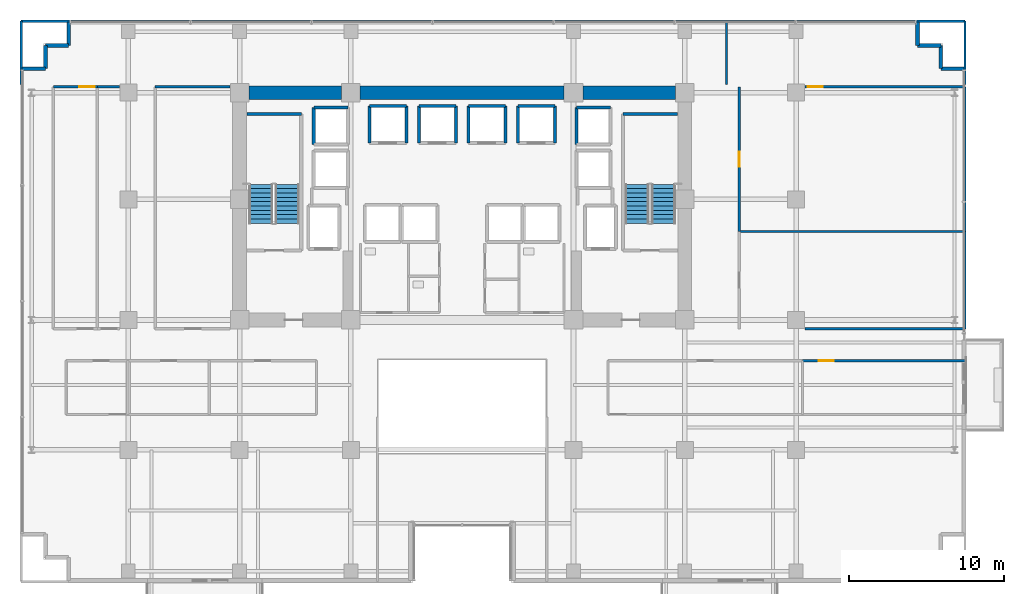
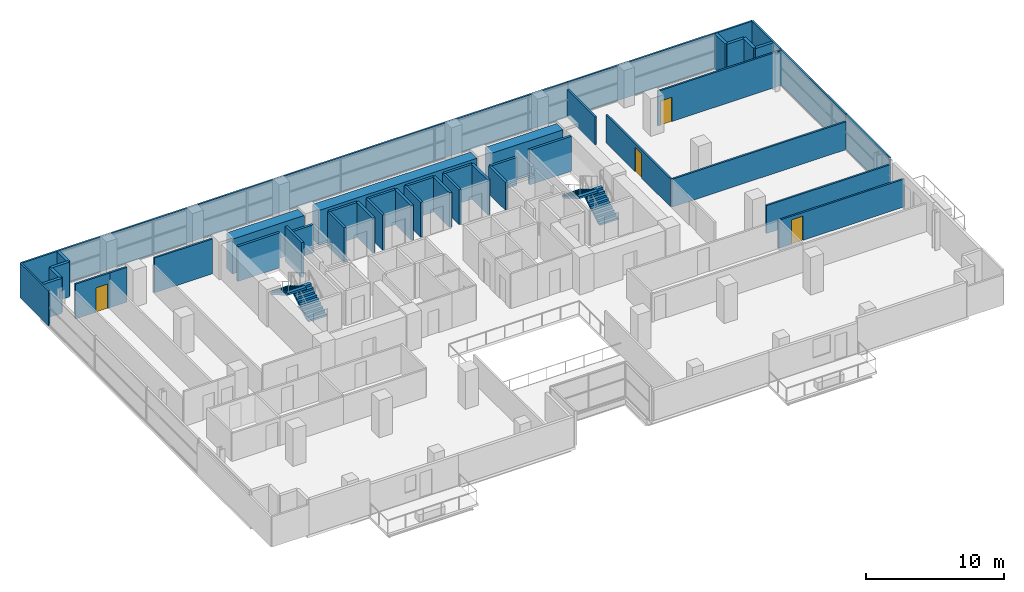
# One storey, part 22 of 26: 44 walls, 4 doors, 4 stair flights, 4 openings, 2 elements without a shape of their own.
"""IFC4 building model written with IfcOpenShell, lengths in metres."""

from ifc_helpers import new_model, si_unit, direction, frame, frame_2d, origin, place, context, subcontext, project, spatial, polyline, rectangle, outline, extrude, source, transform, mapped, material, layer, layer_set, type_object, element, fill, aggregate, save


model = new_model("IFC4")

# Units and contexts
model_context = context("Model", 3, precision=1e-05, world=origin(), true_north=direction((0.0, 1.0)))
body_context = subcontext(model_context, "Body", "Model", "MODEL_VIEW")
ifc_project = project(units=[si_unit("LENGTHUNIT", "METRE"), si_unit("AREAUNIT", "SQUARE_METRE"), si_unit("VOLUMEUNIT", "CUBIC_METRE"), si_unit("PLANEANGLEUNIT", "RADIAN"), si_unit("MASSUNIT", "GRAM", prefix="KILO")], contexts=[model_context])

# Site, building, storey
site_placement = place(None, origin())
site = spatial("IfcSite", under=ifc_project, at=site_placement, CompositionType="ELEMENT")
building_placement = place(site_placement, origin())
building = spatial("IfcBuilding", under=site, at=building_placement, Name="Zarnakvel Exchange Tower", CompositionType="ELEMENT")
storey_placement = place(building_placement, frame((0.0, 0.0, 70.300048828125)))
storey = spatial("IfcBuildingStorey", under=building, at=storey_placement, Name="L19", CompositionType="ELEMENT", Elevation=70.300048828125)

# Walls
ifc_material_1 = material(Name="Concrete C80/95", Category="concrete")
ifc_layer_1 = layer(ifc_material_1, 0.89990234375)
ifc_layer_set_1 = layer_set([ifc_layer_1], Name="Concrete C80/95")
wall_type_1 = type_object("IfcWallType", Name="CW-C1", PredefinedType="SHEAR", material=ifc_layer_set_1)
wall_1_placement = place(storey_placement, frame((-13.800048828125, 13.5, 0.0), z_axis=(0.0, 0.0, 1.0), x_axis=(1.0, 0.0, 0.0)))
element("IfcWall", 1, at=wall_1_placement, inside=storey, type_object=wall_type_1, Name="L19 Rear Core Shear Wall N1 (CW-C1)", PredefinedType="SHEAR", context=body_context, shape_type="SweptSolid", body=[
    extrude(rectangle(XDim=6.0, YDim=0.89990234375, at=frame_2d((3.0, 0.0))), origin(), (0.0, 0.0, 1.0), 3.074951171875),
])
wall_2_placement = place(storey_placement, frame((-6.60009765625, 13.5, 0.0), z_axis=(0.0, 0.0, 1.0), x_axis=(1.0, 0.0, 0.0)))
element("IfcWall", 2, at=wall_2_placement, inside=storey, type_object=wall_type_1, Name="L19 Rear Core Shear Wall N2 (CW-C1)", PredefinedType="SHEAR", context=body_context, shape_type="SweptSolid", body=[
    extrude(rectangle(XDim=13.2001953125, YDim=0.89990234375, at=frame_2d((6.60009765625, 0.0))), origin(), (0.0, 0.0, 1.0), 3.074951171875),
])
wall_3_placement = place(storey_placement, frame((7.800048828125, 13.5, 0.0), z_axis=(0.0, 0.0, 1.0), x_axis=(1.0, 0.0, 0.0)))
element("IfcWall", 3, at=wall_3_placement, inside=storey, type_object=wall_type_1, Name="L19 Rear Core Shear Wall N3 (CW-C1)", PredefinedType="SHEAR", context=body_context, shape_type="SweptSolid", body=[
    extrude(rectangle(XDim=6.0, YDim=0.89990234375, at=frame_2d((3.0, 0.0))), origin(), (0.0, 0.0, 1.0), 3.074951171875),
])
ifc_material_2 = material(Name="Precast concrete C40/50", Category="concrete")
ifc_layer_2 = layer(ifc_material_2, 0.239990234375)
ifc_layer_set_2 = layer_set([ifc_layer_2], Name="Precast concrete C40/50")
wall_type_2 = type_object("IfcWallType", Name="EW-02", PredefinedType="SOLIDWALL", material=ifc_layer_set_2)
for number, where, z_axis, x_axis, name in (
    (4, (-26.9599609375, 15.06005859375, 0.0), (0.0, 0.0, 1.0), (-1.0, 0.0, 0.0), "L19 Exterior Precast Spandrel Wall EWC-L19-01 (EW-02)"),
    (5, (-26.9599609375, 16.56005859375, 0.0), (0.0, 0.0, 1.0), (0.0, -1.0, 0.0), "L19 Exterior Precast Spandrel Wall EWC-L19-02 (EW-02)"),
    (6, (-25.4599609375, 16.56005859375, 0.0), (0.0, 0.0, 1.0), (-1.0, 0.0, 0.0), "L19 Exterior Precast Spandrel Wall EWC-L19-03 (EW-02)"),
    (7, (-25.4599609375, 18.06005859375, 0.0), (0.0, 0.0, 1.0), (0.0, -1.0, 0.0), "L19 Exterior Precast Spandrel Wall EWC-L19-04 (EW-02)"),
    (8, (29.4599609375, 16.56005859375, 0.0), (0.0, 0.0, 1.0), (0.0, 1.0, 0.0), "L19 Exterior Precast Spandrel Wall EWC-L19-05 (EW-02)"),
    (9, (30.9599609375, 16.56005859375, 0.0), (0.0, 0.0, 1.0), (-1.0, 0.0, 0.0), "L19 Exterior Precast Spandrel Wall EWC-L19-06 (EW-02)"),
    (10, (30.9599609375, 15.06005859375, 0.0), (0.0, 0.0, 1.0), (0.0, 1.0, 0.0), "L19 Exterior Precast Spandrel Wall EWC-L19-07 (EW-02)"),
    (11, (32.4599609375, 15.06005859375, 0.0), (0.0, 0.0, 1.0), (-1.0, 0.0, 0.0), "L19 Exterior Precast Spandrel Wall EWC-L19-08 (EW-02)"),
):
    element("IfcWall", number, at=place(storey_placement, frame(where, z_axis=z_axis, x_axis=x_axis)), inside=storey, type_object=wall_type_2, Name=name, PredefinedType="SOLIDWALL", context=body_context, shape_type="SweptSolid", body=[
        extrude(rectangle(XDim=1.5, YDim=0.239990234375, at=frame_2d((0.75, 0.0))), origin(), (0.0, 0.0, 1.0), 3.074951171875),
    ])

# Wall, opening, door
ifc_material_3 = material(Name="Fire-Rated Gypsum Stud Partition", Category="gypsum")
ifc_layer_3 = layer(ifc_material_3, 0.14990234375)
ifc_layer_set_3 = layer_set([ifc_layer_3], Name="Fire-Rated Gypsum Stud Partition")
wall_type_3 = type_object("IfcWallType", Name="PT-01", PredefinedType="PARTITIONING", material=ifc_layer_set_3)
wall_4_placement = place(storey_placement, frame((22.015380859375, -3.830078125, 0.0), z_axis=(0.0, 0.0, 1.0), x_axis=(1.0, 0.0, 0.0)))
wall_4 = element("IfcWall", 12, at=wall_4_placement, inside=storey, type_object=wall_type_3, Name="L19 Partition Wall PWALL-L19-044 (PT-01)", PredefinedType="PARTITIONING", context=body_context, shape_type="SweptSolid", body=[
    extrude(rectangle(XDim=10.5146484375, YDim=0.14990234375, at=frame_2d((5.25732421875, 0.0))), origin(), (0.0, 0.0, 1.0), 2.46484375),
])
opening_1_placement = place(wall_4_placement, frame((1.04248046875, 0.0, 0.0)))
opening_1 = element("IfcOpeningElement", 13, at=opening_1_placement, cuts=wall_4, Name="Opening D-L19-16", PredefinedType="OPENING", context=body_context, shape_type="SweptSolid", body=[
    extrude(rectangle(XDim=0.97998046875, YDim=2.14990234375, at=frame_2d((0.489990234375, 1.074951171875))), frame((0.0, 0.0849609375, 0.0), z_axis=(0.0, -1.0, 0.0), x_axis=(1.0, 0.0, 0.0)), (0.0, 0.0, 1.0), 0.169921875),
])
ifc_material_4 = material(Name="Timber Acoustic Veneer", Category="wood")
door_type = type_object("IfcDoorType", Name="DT-05", OperationType="NOTDEFINED", PredefinedType="DOOR", material=ifc_material_4)
shared_shape = source(origin(), body_context, "Body", "SweptSolid", [
    extrude(rectangle(XDim=0.97998046875, YDim=2.14990234375, at=frame_2d((0.489990234375, 1.074951171875))), frame((0.0, 0.02490234375, 0.0), z_axis=(0.0, -1.0, 0.0), x_axis=(1.0, 0.0, 0.0)), (0.0, 0.0, 1.0), 0.050048828125),
])
door_1_placement = place(opening_1_placement, origin())
door_1 = element("IfcDoor", 14, at=door_1_placement, inside=storey, type_object=door_type, Name="L19 Executive Office Door D-L19-16", OperationType="SINGLE_SWING_RIGHT", OverallHeight=2.14990234375, OverallWidth=0.97998046875, PredefinedType="DOOR", context=body_context, shape_type="MappedRepresentation", body=[
    mapped(shared_shape, transform((0.0, 0.0, 0.0), x_axis=(1.0, 0.0, 0.0), y_axis=(0.0, 1.0, 0.0), z_axis=(0.0, 0.0, 1.0), scale=1.0)),
])
fill(opening_1, door_1)

wall_5_placement = place(storey_placement, frame((-26.451171875, 13.8798828125, 0.0), z_axis=(0.0, 0.0, 1.0), x_axis=(1.0, 0.0, 0.0)))
wall_5 = element("IfcWall", 15, at=wall_5_placement, inside=storey, type_object=wall_type_3, Name="L19 Partition Wall PWALL-L19-050 (PT-01)", PredefinedType="PARTITIONING", context=body_context, shape_type="SweptSolid", body=[
    extrude(rectangle(XDim=2.84619140625, YDim=0.14990234375, at=frame_2d((1.423095703125, 0.0))), origin(), (0.0, 0.0, 1.0), 3.074951171875),
])
opening_2_placement = place(wall_5_placement, frame((1.686279296875, 0.0, 0.0)))
opening_2 = element("IfcOpeningElement", 16, at=opening_2_placement, cuts=wall_5, Name="Opening D-L19-23", PredefinedType="OPENING", context=body_context, shape_type="SweptSolid", body=[
    extrude(rectangle(XDim=0.97998046875, YDim=2.14990234375, at=frame_2d((0.489990234375, 1.074951171875))), frame((0.0, 0.0849609375, 0.0), z_axis=(0.0, -1.0, 0.0), x_axis=(1.0, 0.0, 0.0)), (0.0, 0.0, 1.0), 0.169921875),
])
door_2_placement = place(opening_2_placement, origin())
door_2 = element("IfcDoor", 17, at=door_2_placement, inside=storey, type_object=door_type, Name="L19 Risk Analytics Suite Door D-L19-23", OperationType="SINGLE_SWING_LEFT", OverallHeight=2.14990234375, OverallWidth=0.97998046875, PredefinedType="DOOR", context=body_context, shape_type="MappedRepresentation", body=[
    mapped(shared_shape, transform((0.0, 0.0, 0.0), x_axis=(1.0, 0.0, 0.0), y_axis=(0.0, 1.0, 0.0), z_axis=(0.0, 0.0, 1.0), scale=1.0)),
])
fill(opening_2, door_2)

# Walls
wall_6_placement = place(storey_placement, frame((-23.60498046875, 13.8798828125, 0.0), z_axis=(0.0, 0.0, 1.0), x_axis=(1.0, 0.0, 0.0)))
element("IfcWall", 18, at=wall_6_placement, inside=storey, type_object=wall_type_3, Name="L19 Partition Wall PWALL-L19-054 (PT-01)", PredefinedType="PARTITIONING", context=body_context, shape_type="SweptSolid", body=[
    extrude(rectangle(XDim=1.43505859375, YDim=0.14990234375, at=frame_2d((0.717529296875, 0.0))), origin(), (0.0, 0.0, 1.0), 3.074951171875),
])
wall_7_placement = place(storey_placement, frame((-19.863037109375, 13.8798828125, 0.0), z_axis=(0.0, 0.0, 1.0), x_axis=(1.0, 0.0, 0.0)))
element("IfcWall", 19, at=wall_7_placement, inside=storey, type_object=wall_type_3, Name="L19 Partition Wall PWALL-L19-057 (PT-01)", PredefinedType="PARTITIONING", context=body_context, shape_type="SweptSolid", body=[
    extrude(rectangle(XDim=4.843017578125, YDim=0.14990234375, at=frame_2d((2.42138671875, 0.0))), origin(), (0.0, 0.0, 1.0), 3.074951171875),
])
wall_8_placement = place(storey_placement, frame((32.530029296875, -1.77001953125, 0.0), z_axis=(0.0, 0.0, 1.0), x_axis=(-1.0, 0.0, 0.0)))
element("IfcWall", 20, at=wall_8_placement, inside=storey, type_object=wall_type_3, Name="L19 Partition Wall PWALL-L19-058 (PT-01)", PredefinedType="PARTITIONING", context=body_context, shape_type="SweptSolid", body=[
    extrude(rectangle(XDim=10.360107421875, YDim=0.14990234375, at=frame_2d((5.18017578125, 0.0))), origin(), (0.0, 0.0, 1.0), 2.46484375),
])
wall_9_placement = place(storey_placement, frame((17.929931640625, 4.52197265625, 0.0), z_axis=(0.0, 0.0, 1.0), x_axis=(1.0, 0.0, 0.0)))
element("IfcWall", 21, at=wall_9_placement, inside=storey, type_object=wall_type_3, Name="L19 Partition Wall PWALL-L19-059 (PT-01)", PredefinedType="PARTITIONING", context=body_context, shape_type="SweptSolid", body=[
    extrude(rectangle(XDim=14.60009765625, YDim=0.14990234375, at=frame_2d((7.300048828125, 0.0))), origin(), (0.0, 0.0, 1.0), 2.46484375),
])
wall_10_placement = place(storey_placement, frame((32.530029296875, 4.52197265625, 0.0), z_axis=(0.0, 0.0, 1.0), x_axis=(0.0, -1.0, 0.0)))
element("IfcWall", 22, at=wall_10_placement, inside=storey, type_object=wall_type_3, Name="L19 Partition Wall PWALL-L19-061 (PT-01)", PredefinedType="PARTITIONING", context=body_context, shape_type="SweptSolid", body=[
    extrude(rectangle(XDim=6.2919921875, YDim=0.14990234375, at=frame_2d((3.14599609375, 0.0))), origin(), (0.0, 0.0, 1.0), 3.074951171875),
])

# Wall, opening, door
wall_11_placement = place(storey_placement, frame((22.169921875, 13.8798828125, 0.0), z_axis=(0.0, 0.0, 1.0), x_axis=(1.0, 0.0, 0.0)))
wall_11 = element("IfcWall", 23, at=wall_11_placement, inside=storey, type_object=wall_type_3, Name="L19 Partition Wall PWALL-L19-062 (PT-01)", PredefinedType="PARTITIONING", context=body_context, shape_type="SweptSolid", body=[
    extrude(rectangle(XDim=10.360107421875, YDim=0.14990234375, at=frame_2d((5.18017578125, 0.0))), origin(), (0.0, 0.0, 1.0), 3.074951171875),
])
opening_3_placement = place(wall_11_placement, frame((0.179931640625, 0.0, 0.0)))
opening_3 = element("IfcOpeningElement", 24, at=opening_3_placement, cuts=wall_11, Name="Opening D-L19-24", PredefinedType="OPENING", context=body_context, shape_type="SweptSolid", body=[
    extrude(rectangle(XDim=0.97998046875, YDim=2.14990234375, at=frame_2d((0.489990234375, 1.074951171875))), frame((0.0, 0.0849609375, 0.0), z_axis=(0.0, -1.0, 0.0), x_axis=(1.0, 0.0, 0.0)), (0.0, 0.0, 1.0), 0.169921875),
])
door_3_placement = place(opening_3_placement, origin())
door_3 = element("IfcDoor", 25, at=door_3_placement, inside=storey, type_object=door_type, Name="L19 Members Lounge Door D-L19-24", OperationType="SINGLE_SWING_RIGHT", OverallHeight=2.14990234375, OverallWidth=0.97998046875, PredefinedType="DOOR", context=body_context, shape_type="MappedRepresentation", body=[
    mapped(shared_shape, transform((0.0, 0.0, 0.0), x_axis=(1.0, 0.0, 0.0), y_axis=(0.0, 1.0, 0.0), z_axis=(0.0, 0.0, 1.0), scale=1.0)),
])
fill(opening_3, door_3)

wall_12_placement = place(storey_placement, frame((17.929931640625, 4.52197265625, 0.0), z_axis=(0.0, 0.0, 1.0), x_axis=(0.0, 1.0, 0.0)))
wall_12 = element("IfcWall", 26, at=wall_12_placement, inside=storey, type_object=wall_type_3, Name="L19 Partition Wall PWALL-L19-063 (PT-01)", PredefinedType="PARTITIONING", context=body_context, shape_type="SweptSolid", body=[
    extrude(rectangle(XDim=9.35791015625, YDim=0.14990234375, at=frame_2d((4.678955078125, 0.0))), origin(), (0.0, 0.0, 1.0), 2.46484375),
])
opening_4_placement = place(wall_12_placement, frame((4.18896484375, 0.0, 0.0)))
opening_4 = element("IfcOpeningElement", 27, at=opening_4_placement, cuts=wall_12, Name="Opening D-L19-22", PredefinedType="OPENING", context=body_context, shape_type="SweptSolid", body=[
    extrude(rectangle(XDim=0.97998046875, YDim=2.14990234375, at=frame_2d((0.489990234375, 1.074951171875))), frame((0.0, 0.0849609375, 0.0), z_axis=(0.0, -1.0, 0.0), x_axis=(1.0, 0.0, 0.0)), (0.0, 0.0, 1.0), 0.169921875),
])
door_4_placement = place(opening_4_placement, origin())
door_4 = element("IfcDoor", 28, at=door_4_placement, inside=storey, type_object=door_type, Name="L19 Risk Analytics Suite Door D-L19-22", OperationType="SINGLE_SWING_RIGHT", OverallHeight=2.14990234375, OverallWidth=0.97998046875, PredefinedType="DOOR", context=body_context, shape_type="MappedRepresentation", body=[
    mapped(shared_shape, transform((0.0, 0.0, 0.0), x_axis=(1.0, 0.0, 0.0), y_axis=(0.0, 1.0, 0.0), z_axis=(0.0, 0.0, 1.0), scale=1.0)),
])
fill(opening_4, door_4)

# Walls
wall_13_placement = place(storey_placement, frame((32.530029296875, 13.8798828125, 0.0), z_axis=(0.0, 0.0, 1.0), x_axis=(0.0, -1.0, 0.0)))
element("IfcWall", 29, at=wall_13_placement, inside=storey, type_object=wall_type_3, Name="L19 Partition Wall PWALL-L19-064 (PT-01)", PredefinedType="PARTITIONING", context=body_context, shape_type="SweptSolid", body=[
    extrude(rectangle(XDim=9.35791015625, YDim=0.14990234375, at=frame_2d((4.678955078125, 0.0))), origin(), (0.0, 0.0, 1.0), 3.074951171875),
])
wall_14_placement = place(storey_placement, frame((-28.530029296875, 18.1298828125, 0.0), z_axis=(0.0, 0.0, 1.0), x_axis=(1.0, 0.0, 0.0)))
element("IfcWall", 30, at=wall_14_placement, inside=storey, type_object=wall_type_3, Name="L19 Partition Wall PWALL-L19-065 (PT-01)", PredefinedType="PARTITIONING", context=body_context, shape_type="SweptSolid", body=[
    extrude(rectangle(XDim=45.630126953125, YDim=0.14990234375, at=frame_2d((22.81494140625, 0.0))), origin(), (0.0, 0.0, 1.0), 3.074951171875),
])
wall_15_placement = place(storey_placement, frame((-28.530029296875, 14.030029296875, 0.0), z_axis=(0.0, 0.0, 1.0), x_axis=(0.0, 1.0, 0.0)))
element("IfcWall", 31, at=wall_15_placement, inside=storey, type_object=wall_type_3, Name="L19 Partition Wall PWALL-L19-066 (PT-01)", PredefinedType="PARTITIONING", context=body_context, shape_type="SweptSolid", body=[
    extrude(rectangle(XDim=4.099853515625, YDim=0.14990234375, at=frame_2d((2.0498046875, 0.0))), origin(), (0.0, 0.0, 1.0), 3.074951171875),
])
wall_16_placement = place(storey_placement, frame((17.10009765625, 18.1298828125, 0.0), z_axis=(0.0, 0.0, 1.0), x_axis=(0.0, -1.0, 0.0)))
element("IfcWall", 32, at=wall_16_placement, inside=storey, type_object=wall_type_3, Name="L19 Partition Wall PWALL-L19-067 (PT-01)", PredefinedType="PARTITIONING", context=body_context, shape_type="SweptSolid", body=[
    extrude(rectangle(XDim=4.099853515625, YDim=0.14990234375, at=frame_2d((2.0498046875, 0.0))), origin(), (0.0, 0.0, 1.0), 2.46484375),
])
wall_17_placement = place(storey_placement, frame((17.10009765625, 18.1298828125, 0.0), z_axis=(0.0, 0.0, 1.0), x_axis=(1.0, 0.0, 0.0)))
element("IfcWall", 33, at=wall_17_placement, inside=storey, type_object=wall_type_3, Name="L19 Partition Wall PWALL-L19-068 (PT-01)", PredefinedType="PARTITIONING", context=body_context, shape_type="SweptSolid", body=[
    extrude(rectangle(XDim=15.429931640625, YDim=0.14990234375, at=frame_2d((7.71484375, 0.0))), origin(), (0.0, 0.0, 1.0), 3.074951171875),
])
wall_18_placement = place(storey_placement, frame((32.530029296875, 18.1298828125, 0.0), z_axis=(0.0, 0.0, 1.0), x_axis=(0.0, -1.0, 0.0)))
element("IfcWall", 34, at=wall_18_placement, inside=storey, type_object=wall_type_3, Name="L19 Partition Wall PWALL-L19-069 (PT-01)", PredefinedType="PARTITIONING", context=body_context, shape_type="SweptSolid", body=[
    extrude(rectangle(XDim=4.099853515625, YDim=0.14990234375, at=frame_2d((2.0498046875, 0.0))), origin(), (0.0, 0.0, 1.0), 3.074951171875),
])
ifc_material_5 = material(Name="Concrete C40/50", Category="concrete")
ifc_layer_4 = layer(ifc_material_5, 0.199951171875)
ifc_layer_set_4 = layer_set([ifc_layer_4], Name="Concrete C40/50")
wall_type_4 = type_object("IfcWallType", Name="SW-01", PredefinedType="SOLIDWALL", material=ifc_layer_set_4)
for number, where, z_axis, x_axis, name in (
    (35, (-6.0, 12.64990234375, 0.0), (0.0, 0.0, 1.0), (1.0, 0.0, 0.0), "L19 PL-01 Hoistway Wall North"),
    (36, (-6.0, 10.25, 0.0), (0.0, 0.0, 1.0), (0.0, 1.0, 0.0), "L19 PL-01 Hoistway Wall West"),
    (37, (-3.60009765625, 12.64990234375, 0.0), (0.0, 0.0, 1.0), (0.0, -1.0, 0.0), "L19 PL-01 Hoistway Wall East"),
):
    element("IfcWall", number, at=place(storey_placement, frame(where, z_axis=z_axis, x_axis=x_axis)), inside=storey, type_object=wall_type_4, Name=name, PredefinedType="SOLIDWALL", context=body_context, shape_type="SweptSolid", body=[
        extrude(rectangle(XDim=2.39990234375, YDim=0.199951171875, at=frame_2d((1.199951171875, 0.0))), origin(), (0.0, 0.0, 1.0), 3.074951171875),
    ])
wall_19_placement = place(storey_placement, frame((-2.800048828125, 12.64990234375, 0.0), z_axis=(0.0, 0.0, 1.0), x_axis=(1.0, 0.0, 0.0)))
element("IfcWall", 38, at=wall_19_placement, inside=storey, type_object=wall_type_4, Name="L19 PL-02 Hoistway Wall North", PredefinedType="SOLIDWALL", context=body_context, shape_type="SweptSolid", body=[
    extrude(rectangle(XDim=2.400146484375, YDim=0.199951171875, at=frame_2d((1.2001953125, 0.0))), origin(), (0.0, 0.0, 1.0), 3.074951171875),
])
for number, where, z_axis, x_axis, name in (
    (39, (-2.800048828125, 10.25, 0.0), (0.0, 0.0, 1.0), (0.0, 1.0, 0.0), "L19 PL-02 Hoistway Wall West"),
    (40, (-0.39990234375, 12.64990234375, 0.0), (0.0, 0.0, 1.0), (0.0, -1.0, 0.0), "L19 PL-02 Hoistway Wall East"),
):
    element("IfcWall", number, at=place(storey_placement, frame(where, z_axis=z_axis, x_axis=x_axis)), inside=storey, type_object=wall_type_4, Name=name, PredefinedType="SOLIDWALL", context=body_context, shape_type="SweptSolid", body=[
        extrude(rectangle(XDim=2.39990234375, YDim=0.199951171875, at=frame_2d((1.199951171875, 0.0))), origin(), (0.0, 0.0, 1.0), 3.074951171875),
    ])
wall_20_placement = place(storey_placement, frame((0.39990234375, 12.64990234375, 0.0), z_axis=(0.0, 0.0, 1.0), x_axis=(1.0, 0.0, 0.0)))
element("IfcWall", 41, at=wall_20_placement, inside=storey, type_object=wall_type_4, Name="L19 PL-03 Hoistway Wall North", PredefinedType="SOLIDWALL", context=body_context, shape_type="SweptSolid", body=[
    extrude(rectangle(XDim=2.400146484375, YDim=0.199951171875, at=frame_2d((1.2001953125, 0.0))), origin(), (0.0, 0.0, 1.0), 3.074951171875),
])
for number, where, z_axis, x_axis, name in (
    (42, (0.39990234375, 10.25, 0.0), (0.0, 0.0, 1.0), (0.0, 1.0, 0.0), "L19 PL-03 Hoistway Wall West"),
    (43, (2.800048828125, 12.64990234375, 0.0), (0.0, 0.0, 1.0), (0.0, -1.0, 0.0), "L19 PL-03 Hoistway Wall East"),
    (44, (3.60009765625, 12.64990234375, 0.0), (0.0, 0.0, 1.0), (1.0, 0.0, 0.0), "L19 PL-04 Hoistway Wall North"),
    (45, (3.60009765625, 10.25, 0.0), (0.0, 0.0, 1.0), (0.0, 1.0, 0.0), "L19 PL-04 Hoistway Wall West"),
    (46, (6.0, 12.64990234375, 0.0), (0.0, 0.0, 1.0), (0.0, -1.0, 0.0), "L19 PL-04 Hoistway Wall East"),
):
    element("IfcWall", number, at=place(storey_placement, frame(where, z_axis=z_axis, x_axis=x_axis)), inside=storey, type_object=wall_type_4, Name=name, PredefinedType="SOLIDWALL", context=body_context, shape_type="SweptSolid", body=[
        extrude(rectangle(XDim=2.39990234375, YDim=0.199951171875, at=frame_2d((1.199951171875, 0.0))), origin(), (0.0, 0.0, 1.0), 3.074951171875),
    ])
wall_21_placement = place(storey_placement, frame((-9.60009765625, 12.550048828125, 0.0), z_axis=(0.0, 0.0, 1.0), x_axis=(1.0, 0.0, 0.0)))
element("IfcWall", 47, at=wall_21_placement, inside=storey, type_object=wall_type_4, Name="L19 PL-10 Hoistway Wall North", PredefinedType="SOLIDWALL", context=body_context, shape_type="SweptSolid", body=[
    extrude(rectangle(XDim=2.2001953125, YDim=0.199951171875, at=frame_2d((1.10009765625, 0.0))), origin(), (0.0, 0.0, 1.0), 2.46484375),
])
wall_22_placement = place(storey_placement, frame((-9.60009765625, 10.14990234375, 0.0), z_axis=(0.0, 0.0, 1.0), x_axis=(0.0, 1.0, 0.0)))
element("IfcWall", 48, at=wall_22_placement, inside=storey, type_object=wall_type_4, Name="L19 PL-10 Hoistway Wall West", PredefinedType="SOLIDWALL", context=body_context, shape_type="SweptSolid", body=[
    extrude(rectangle(XDim=2.400146484375, YDim=0.199951171875, at=frame_2d((1.2001953125, 0.0))), origin(), (0.0, 0.0, 1.0), 3.074951171875),
])
wall_23_placement = place(storey_placement, frame((7.39990234375, 12.550048828125, 0.0), z_axis=(0.0, 0.0, 1.0), x_axis=(1.0, 0.0, 0.0)))
element("IfcWall", 49, at=wall_23_placement, inside=storey, type_object=wall_type_4, Name="L19 PL-12 Hoistway Wall North", PredefinedType="SOLIDWALL", context=body_context, shape_type="SweptSolid", body=[
    extrude(rectangle(XDim=2.2001953125, YDim=0.199951171875, at=frame_2d((1.10009765625, 0.0))), origin(), (0.0, 0.0, 1.0), 2.46484375),
])
wall_24_placement = place(storey_placement, frame((7.39990234375, 10.14990234375, 0.0), z_axis=(0.0, 0.0, 1.0), x_axis=(0.0, 1.0, 0.0)))
element("IfcWall", 50, at=wall_24_placement, inside=storey, type_object=wall_type_4, Name="L19 PL-12 Hoistway Wall West", PredefinedType="SOLIDWALL", context=body_context, shape_type="SweptSolid", body=[
    extrude(rectangle(XDim=2.400146484375, YDim=0.199951171875, at=frame_2d((1.2001953125, 0.0))), origin(), (0.0, 0.0, 1.0), 2.46484375),
])
ifc_layer_5 = layer(ifc_material_5, 0.199951171875)
ifc_layer_set_5 = layer_set([ifc_layer_5], Name="Concrete C40/50")
wall_type_5 = type_object("IfcWallType", Name="SW-02", PredefinedType="SOLIDWALL", material=ifc_layer_set_5)
for number, where, z_axis, x_axis, name in (
    (51, (-13.929931640625, 12.1298828125, 0.0), (0.0, 0.0, 1.0), (1.0, 0.0, 0.0), "L19 Stairwell Core Wall PWALL-L19-002 (SW-02)"),
    (52, (10.409912109375, 12.1298828125, 0.0), (0.0, 0.0, 1.0), (1.0, 0.0, 0.0), "L19 Stairwell Core Wall PWALL-L19-005 (SW-02)"),
):
    element("IfcWall", number, at=place(storey_placement, frame(where, z_axis=z_axis, x_axis=x_axis)), inside=storey, type_object=wall_type_5, Name=name, PredefinedType="SOLIDWALL", context=body_context, shape_type="SweptSolid", body=[
        extrude(rectangle(XDim=3.52001953125, YDim=0.199951171875, at=frame_2d((1.760009765625, 0.0))), origin(), (0.0, 0.0, 1.0), 3.074951171875),
    ])

# Stair, stair flights
stair_type = type_object("IfcStairType", Name="STR-01", PredefinedType="HALF_TURN_STAIR", material=ifc_material_5)
stair_1_placement = place(storey_placement, origin())
stair_1 = element("IfcStair", 53, at=stair_1_placement, inside=storey, type_object=stair_type, Name="L19 Protected Core Exit Stair ST-01", PredefinedType="HALF_TURN_STAIR")
stair_flight_type = type_object("IfcStairFlightType", Name="FLT-01", PredefinedType="STRAIGHT", material=ifc_material_5)
stair_flight_1_placement = place(storey_placement, frame((-11.31494140625, 5.050048828125, 0.0), z_axis=(0.0, 0.0, 1.0), x_axis=(0.0, 1.0, 0.0)))
stair_flight_1 = element("IfcStairFlight", 54, at=stair_flight_1_placement, type_object=stair_flight_type, Name="ST-01 flight 1", NumberOfRisers=10, NumberOfTreads=9, PredefinedType="STRAIGHT", RiserHeight=0.165, TreadLength=0.28, context=body_context, shape_type="SweptSolid", body=[
    extrude(outline(polyline([(0.0, 0.0), (0.0, 0.1650390625), (0.280029296875, 0.1650390625), (0.280029296875, 0.330078125), (0.56005859375, 0.330078125), (0.56005859375, 0.4951171875), (0.840087890625, 0.4951171875), (0.840087890625, 0.659912109375), (1.1201171875, 0.659912109375), (1.1201171875, 0.824951171875), (1.39990234375, 0.824951171875), (1.39990234375, 0.989990234375), (1.679931640625, 0.989990234375), (1.679931640625, 1.155029296875), (1.9599609375, 1.155029296875), (1.9599609375, 1.320068359375), (2.239990234375, 1.320068359375), (2.239990234375, 1.485107421875), (2.52001953125, 1.485107421875), (2.52001953125, 1.64990234375), (2.52001953125, 1.31103515625), (0.295166015625, 0.0), (0.0, 0.0)])), frame((0.0, 0.77490234375, 0.0), z_axis=(0.0, -1.0, 0.0), x_axis=(1.0, 0.0, 0.0)), (0.0, 0.0, 1.0), 1.550048828125),
])
stair_flight_2_placement = place(storey_placement, frame((-13.02490234375, 7.570068359375, 1.64990234375), z_axis=(0.0, 0.0, 1.0), x_axis=(0.0, -1.0, 0.0)))
stair_flight_2 = element("IfcStairFlight", 55, at=stair_flight_2_placement, type_object=stair_flight_type, Name="ST-01 flight 2", NumberOfRisers=10, NumberOfTreads=9, PredefinedType="STRAIGHT", RiserHeight=0.165, TreadLength=0.28, context=body_context, shape_type="SweptSolid", body=[
    extrude(outline(polyline([(0.0, 0.0), (0.0, 0.1650390625), (0.280029296875, 0.1650390625), (0.280029296875, 0.330078125), (0.56005859375, 0.330078125), (0.56005859375, 0.4951171875), (0.840087890625, 0.4951171875), (0.840087890625, 0.659912109375), (1.1201171875, 0.659912109375), (1.1201171875, 0.824951171875), (1.39990234375, 0.824951171875), (1.39990234375, 0.989990234375), (1.679931640625, 0.989990234375), (1.679931640625, 1.155029296875), (1.9599609375, 1.155029296875), (1.9599609375, 1.320068359375), (2.239990234375, 1.320068359375), (2.239990234375, 1.485107421875), (2.52001953125, 1.485107421875), (2.52001953125, 1.64990234375), (2.52001953125, 1.31103515625), (0.295166015625, 0.0), (0.0, 0.0)])), frame((0.0, 0.77490234375, 0.0), z_axis=(0.0, -1.0, 0.0), x_axis=(1.0, 0.0, 0.0)), (0.0, 0.0, 1.0), 1.550048828125),
])
aggregate(stair_1, [stair_flight_1, stair_flight_2])

stair_2_placement = place(storey_placement, origin())
stair_2 = element("IfcStair", 56, at=stair_2_placement, inside=storey, type_object=stair_type, Name="L19 Protected Core Exit Stair ST-02", PredefinedType="HALF_TURN_STAIR")
stair_flight_3_placement = place(storey_placement, frame((13.02490234375, 5.050048828125, 0.0), z_axis=(0.0, 0.0, 1.0), x_axis=(0.0, 1.0, 0.0)))
stair_flight_3 = element("IfcStairFlight", 57, at=stair_flight_3_placement, type_object=stair_flight_type, Name="ST-02 flight 1", NumberOfRisers=10, NumberOfTreads=9, PredefinedType="STRAIGHT", RiserHeight=0.165, TreadLength=0.28, context=body_context, shape_type="SweptSolid", body=[
    extrude(outline(polyline([(0.0, 0.0), (0.0, 0.1650390625), (0.280029296875, 0.1650390625), (0.280029296875, 0.330078125), (0.56005859375, 0.330078125), (0.56005859375, 0.4951171875), (0.840087890625, 0.4951171875), (0.840087890625, 0.659912109375), (1.1201171875, 0.659912109375), (1.1201171875, 0.824951171875), (1.39990234375, 0.824951171875), (1.39990234375, 0.989990234375), (1.679931640625, 0.989990234375), (1.679931640625, 1.155029296875), (1.9599609375, 1.155029296875), (1.9599609375, 1.320068359375), (2.239990234375, 1.320068359375), (2.239990234375, 1.485107421875), (2.52001953125, 1.485107421875), (2.52001953125, 1.64990234375), (2.52001953125, 1.31103515625), (0.295166015625, 0.0), (0.0, 0.0)])), frame((0.0, 0.77490234375, 0.0), z_axis=(0.0, -1.0, 0.0), x_axis=(1.0, 0.0, 0.0)), (0.0, 0.0, 1.0), 1.550048828125),
])
stair_flight_4_placement = place(storey_placement, frame((11.31494140625, 7.570068359375, 1.64990234375), z_axis=(0.0, 0.0, 1.0), x_axis=(0.0, -1.0, 0.0)))
stair_flight_4 = element("IfcStairFlight", 58, at=stair_flight_4_placement, type_object=stair_flight_type, Name="ST-02 flight 2", NumberOfRisers=10, NumberOfTreads=9, PredefinedType="STRAIGHT", RiserHeight=0.165, TreadLength=0.28, context=body_context, shape_type="SweptSolid", body=[
    extrude(outline(polyline([(0.0, 0.0), (0.0, 0.1650390625), (0.280029296875, 0.1650390625), (0.280029296875, 0.330078125), (0.56005859375, 0.330078125), (0.56005859375, 0.4951171875), (0.840087890625, 0.4951171875), (0.840087890625, 0.659912109375), (1.1201171875, 0.659912109375), (1.1201171875, 0.824951171875), (1.39990234375, 0.824951171875), (1.39990234375, 0.989990234375), (1.679931640625, 0.989990234375), (1.679931640625, 1.155029296875), (1.9599609375, 1.155029296875), (1.9599609375, 1.320068359375), (2.239990234375, 1.320068359375), (2.239990234375, 1.485107421875), (2.52001953125, 1.485107421875), (2.52001953125, 1.64990234375), (2.52001953125, 1.31103515625), (0.295166015625, 0.0), (0.0, 0.0)])), frame((0.0, 0.77490234375, 0.0), z_axis=(0.0, -1.0, 0.0), x_axis=(1.0, 0.0, 0.0)), (0.0, 0.0, 1.0), 1.550048828125),
])
aggregate(stair_2, [stair_flight_3, stair_flight_4])

save(model, "model.ifc")
